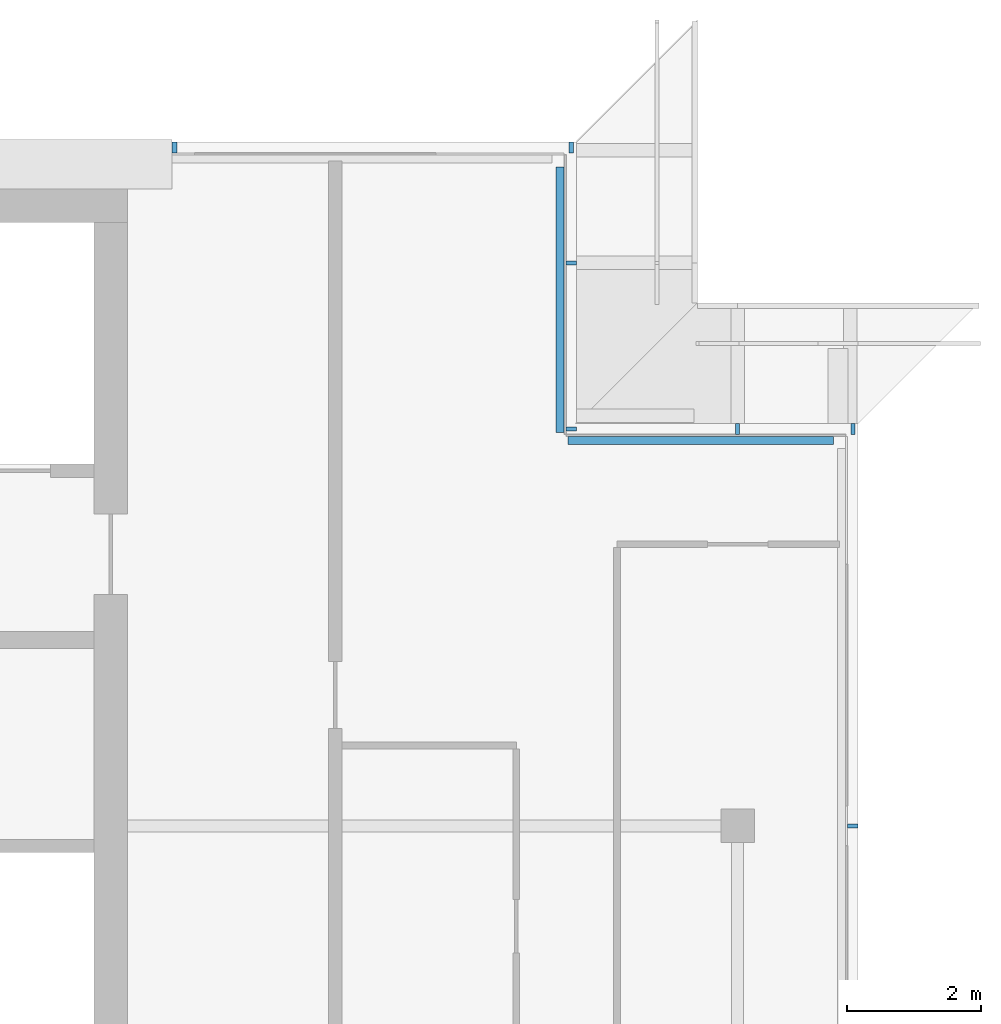
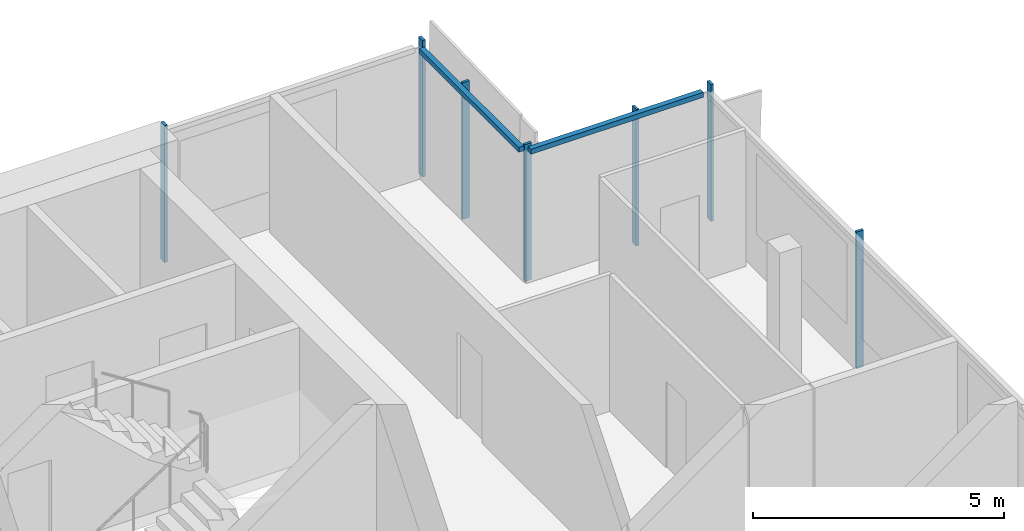
# One storey, part 13 of 24: 9 members, 4 elements without a shape of their own.
"""IFC4 building model written with IfcOpenShell, lengths in metres."""

from ifc_helpers import new_model, si_unit, direction, frame, origin, origin_2d, place, context, subcontext, project, spatial, rectangle, extrude, material, material_profile, profile_set, type_object, element, aggregate, save


model = new_model("IFC4")

# Units and contexts
model_context = context("Model", 3, precision=1e-05, world=origin(), true_north=direction((0.0, 1.0)))
body_context = subcontext(model_context, "Body", "Model", "MODEL_VIEW")
ifc_project = project(units=[si_unit("LENGTHUNIT", "METRE"), si_unit("AREAUNIT", "SQUARE_METRE"), si_unit("VOLUMEUNIT", "CUBIC_METRE"), si_unit("PLANEANGLEUNIT", "RADIAN"), si_unit("MASSUNIT", "GRAM", prefix="KILO")], contexts=[model_context])

# Site, building, storey
site_placement = place(None, origin())
site = spatial("IfcSite", under=ifc_project, at=site_placement, CompositionType="ELEMENT")
building_placement = place(site_placement, origin())
building = spatial("IfcBuilding", under=site, at=building_placement, Name="Saffron Gate Tower", CompositionType="ELEMENT")
storey_placement = place(building_placement, frame((0.0, 0.0, 281.550048828125)))
storey = spatial("IfcBuildingStorey", under=building, at=storey_placement, Name="L68", CompositionType="ELEMENT", Elevation=281.550048828125)

# Curtain wall, member
ifc_material = material(Name="Aluminium, bronze anodised", Category="aluminium")
curtain_wall_type_1 = type_object("IfcCurtainWallType", Name="CWS2 curtain wall side facades", PredefinedType="NOTDEFINED", material=ifc_material)
curtain_wall_1_placement = place(storey_placement, origin())
curtain_wall_1 = element("IfcCurtainWall", 1, at=curtain_wall_1_placement, inside=storey, type_object=curtain_wall_type_1, Name="CWS2 run 4", PredefinedType="NOTDEFINED")
ifc_material_profile_1 = material_profile(ifc_material, rectangle(XDim=0.159912109375, YDim=0.06005859375, at=origin_2d()))
ifc_profile_set_1 = profile_set([ifc_material_profile_1], Name="Aluminium, bronze anodised")
member_type_1 = type_object("IfcMemberType", Name="CWS2 mullion 60x160", PredefinedType="MULLION", material=ifc_profile_set_1)
member_1_placement = place(storey_placement, frame((118.719970703125, 65.39990234375, 0.0), z_axis=(0.0, 0.0, 1.0), x_axis=(-1.0, 0.0, 0.0)))
member_1 = element("IfcMember", 2, at=member_1_placement, type_object=member_type_1, Name="CWS2 mullion 5", PredefinedType="MULLION", context=body_context, shape_type="SweptSolid", body=[
    extrude(rectangle(XDim=0.159912109375, YDim=0.06005859375, at=origin_2d()), origin(), (0.0, 0.0, 1.0), 3.320068359375),
])
aggregate(curtain_wall_1, [member_1])

# Curtain wall, members
curtain_wall_type_2 = type_object("IfcCurtainWallType", Name="CWS3 curtain wall rear facade", PredefinedType="NOTDEFINED", material=ifc_material)
curtain_wall_2_placement = place(storey_placement, origin())
curtain_wall_2 = element("IfcCurtainWall", 3, at=curtain_wall_2_placement, inside=storey, type_object=curtain_wall_type_2, Name="CWS3 run 7", PredefinedType="NOTDEFINED")
ifc_material_profile_2 = material_profile(ifc_material, rectangle(XDim=0.159912109375, YDim=0.070068359375, at=origin_2d()))
ifc_profile_set_2 = profile_set([ifc_material_profile_2], Name="Aluminium, bronze anodised")
member_type_2 = type_object("IfcMemberType", Name="CWS3 mullion 70x160", PredefinedType="MULLION", material=ifc_profile_set_2)
member_2_placement = place(storey_placement, frame((114.52001953125, 75.52001953125, 0.0), z_axis=(0.0, 0.0, 1.0), x_axis=(0.0, -1.0, 0.0)))
member_2 = element("IfcMember", 4, at=member_2_placement, type_object=member_type_2, Name="CWS3 mullion 1", PredefinedType="MULLION", context=body_context, shape_type="SweptSolid", body=[
    extrude(rectangle(XDim=0.159912109375, YDim=0.070068359375, at=origin_2d()), origin(), (0.0, 0.0, 1.0), 3.320068359375),
])
member_3_placement = place(storey_placement, frame((108.60009765625, 75.52001953125, 0.0), z_axis=(0.0, 0.0, 1.0), x_axis=(0.0, -1.0, 0.0)))
member_3 = element("IfcMember", 5, at=member_3_placement, type_object=member_type_2, Name="CWS3 mullion 2", PredefinedType="MULLION", context=body_context, shape_type="SweptSolid", body=[
    extrude(rectangle(XDim=0.159912109375, YDim=0.070068359375, at=origin_2d()), origin(), (0.0, 0.0, 1.0), 3.320068359375),
])
aggregate(curtain_wall_2, [member_2, member_3])

# Curtain wall, member
curtain_wall_type_3 = type_object("IfcCurtainWallType", Name="CWS4 curtain wall corner returns", PredefinedType="NOTDEFINED", material=ifc_material)
curtain_wall_3_placement = place(storey_placement, origin())
curtain_wall_3 = element("IfcCurtainWall", 6, at=curtain_wall_3_placement, inside=storey, type_object=curtain_wall_type_3, Name="CWS4 run 5", PredefinedType="NOTDEFINED")
ifc_material_profile_3 = material_profile(ifc_material, rectangle(XDim=0.1201171875, YDim=0.1201171875, at=origin_2d()))
ifc_profile_set_3 = profile_set([ifc_material_profile_3], Name="Aluminium, bronze anodised")
member_type_3 = type_object("IfcMemberType", Name="CWS4 head transom", PredefinedType="USERDEFINED", material=ifc_profile_set_3)
member_4_placement = place(storey_placement, frame((118.431884765625, 71.152099609375, 3.260009765625), z_axis=(-1.0, 0.0, 0.0), x_axis=(0.0, -1.0, 0.0)))
member_4 = element("IfcMember", 7, at=member_4_placement, type_object=member_type_3, Name="CWS4 head transom", ObjectType="TRANSOM", PredefinedType="USERDEFINED", context=body_context, shape_type="SweptSolid", body=[
    extrude(rectangle(XDim=0.1201171875, YDim=0.1201171875, at=origin_2d()), origin(), (0.0, 0.0, 1.0), 3.9599609375),
])

curtain_wall_4_placement = place(storey_placement, origin())
curtain_wall_4 = element("IfcCurtainWall", 8, at=curtain_wall_4_placement, inside=storey, type_object=curtain_wall_type_3, Name="CWS4 run 6", PredefinedType="NOTDEFINED")
member_5_placement = place(storey_placement, frame((114.35205078125, 71.27197265625, 3.260009765625), z_axis=(0.0, 1.0, 0.0), x_axis=(-1.0, 0.0, 0.0)))
member_5 = element("IfcMember", 9, at=member_5_placement, type_object=member_type_3, Name="CWS4 head transom", ObjectType="TRANSOM", PredefinedType="USERDEFINED", context=body_context, shape_type="SweptSolid", body=[
    extrude(rectangle(XDim=0.1201171875, YDim=0.1201171875, at=origin_2d()), origin(), (0.0, 0.0, 1.0), 3.9599609375),
])

# Member
ifc_material_profile_4 = material_profile(ifc_material, rectangle(XDim=0.159912109375, YDim=0.06005859375, at=origin_2d()))
ifc_profile_set_4 = profile_set([ifc_material_profile_4], Name="Aluminium, bronze anodised")
member_type_4 = type_object("IfcMemberType", Name="CWS4 mullion 60x160", PredefinedType="MULLION", material=ifc_profile_set_4)
member_6_placement = place(storey_placement, frame((118.719970703125, 71.320068359375, 0.0), z_axis=(0.0, 0.0, 1.0), x_axis=(0.0, -1.0, 0.0)))
member_6 = element("IfcMember", 10, at=member_6_placement, type_object=member_type_4, Name="CWS4 mullion 1", PredefinedType="MULLION", context=body_context, shape_type="SweptSolid", body=[
    extrude(rectangle(XDim=0.159912109375, YDim=0.06005859375, at=origin_2d()), origin(), (0.0, 0.0, 1.0), 3.320068359375),
])

member_7_placement = place(storey_placement, frame((117.0, 71.320068359375, 0.0), z_axis=(0.0, 0.0, 1.0), x_axis=(0.0, -1.0, 0.0)))
member_7 = element("IfcMember", 11, at=member_7_placement, type_object=member_type_4, Name="CWS4 mullion 2", PredefinedType="MULLION", context=body_context, shape_type="SweptSolid", body=[
    extrude(rectangle(XDim=0.159912109375, YDim=0.06005859375, at=origin_2d()), origin(), (0.0, 0.0, 1.0), 3.320068359375),
])

aggregate(curtain_wall_3, [member_6, member_7, member_4])

member_8_placement = place(storey_placement, frame((114.52001953125, 71.320068359375, 0.0), z_axis=(0.0, 0.0, 1.0), x_axis=(-1.0, 0.0, 0.0)))
member_8 = element("IfcMember", 12, at=member_8_placement, type_object=member_type_4, Name="CWS4 mullion 1", PredefinedType="MULLION", context=body_context, shape_type="SweptSolid", body=[
    extrude(rectangle(XDim=0.159912109375, YDim=0.06005859375, at=origin_2d()), origin(), (0.0, 0.0, 1.0), 3.320068359375),
])

member_9_placement = place(storey_placement, frame((114.52001953125, 73.800048828125, 0.0), z_axis=(0.0, 0.0, 1.0), x_axis=(-1.0, 0.0, 0.0)))
member_9 = element("IfcMember", 13, at=member_9_placement, type_object=member_type_4, Name="CWS4 mullion 2", PredefinedType="MULLION", context=body_context, shape_type="SweptSolid", body=[
    extrude(rectangle(XDim=0.159912109375, YDim=0.06005859375, at=origin_2d()), origin(), (0.0, 0.0, 1.0), 3.320068359375),
])

aggregate(curtain_wall_4, [member_8, member_9, member_5])

save(model, "model.ifc")
